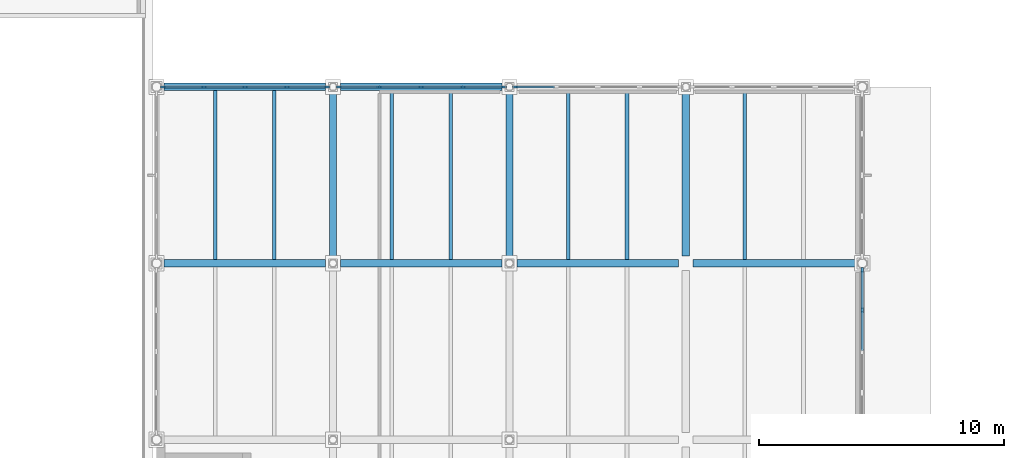
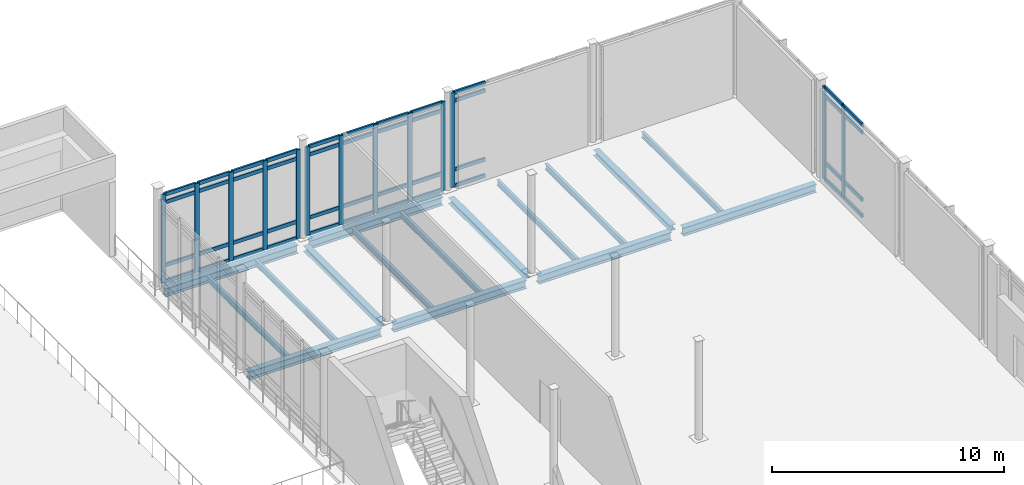
# One storey, part 36 of 89: 57 members, 16 beams, 4 elements without a shape of their own.
"""IFC4 building model written with IfcOpenShell, lengths in metres."""

from ifc_helpers import new_model, si_unit, direction, frame, origin, origin_2d, place, context, subcontext, project, spatial, rectangle, i_section, extrude, material, layer, layer_set, material_profile, profile_set, type_object, element, aggregate, save


model = new_model("IFC4")

# Units and contexts
model_context = context("Model", 3, precision=1e-05, world=origin(), true_north=direction((0.0, 1.0)))
body_context = subcontext(model_context, "Body", "Model", "MODEL_VIEW")
ifc_project = project(units=[si_unit("LENGTHUNIT", "METRE"), si_unit("AREAUNIT", "SQUARE_METRE"), si_unit("VOLUMEUNIT", "CUBIC_METRE"), si_unit("PLANEANGLEUNIT", "RADIAN"), si_unit("MASSUNIT", "GRAM", prefix="KILO")], contexts=[model_context])

# Site, building, storey
site_placement = place(None, origin())
site = spatial("IfcSite", under=ifc_project, at=site_placement, CompositionType="ELEMENT")
building_placement = place(site_placement, origin())
building = spatial("IfcBuilding", under=site, at=building_placement, Name="Zarrinpeak Specialist Clinic", CompositionType="ELEMENT")
storey_placement = place(building_placement, origin())
storey = spatial("IfcBuildingStorey", under=building, at=storey_placement, Name="L00", CompositionType="ELEMENT", Elevation=0.0)

# Beams
ifc_material_1 = material(Name="Steel S355", Category="steel")
ifc_material_profile_1 = material_profile(ifc_material_1, i_section(OverallWidth=0.300048828125, OverallDepth=0.2900390625, WebThickness=0.008544921875, FlangeThickness=0.013916015625, FilletRadius=0.027099609375, at=origin_2d()), Name="HEA 300")
ifc_profile_set_1 = profile_set([ifc_material_profile_1], Name="Steel S355")
beam_type_1 = type_object("IfcBeamType", Name="BM-HEA300", PredefinedType="BEAM", material=ifc_profile_set_1)
for number, where, z_axis, x_axis, name in (
    (1, (100.800048828125, 65.097900390625, -0.39501953125), (0.0, 1.0, 0.0), (-1.0, 0.0, 0.0), "L00 Primary Beam BM-L00-Y0380"),
    (2, (108.0, 65.097900390625, -0.39501953125), (0.0, 1.0, 0.0), (-1.0, 0.0, 0.0), "L00 Primary Beam BM-L00-Y0386"),
    (3, (115.199951171875, 65.097900390625, -0.39501953125), (0.0, 1.0, 0.0), (-1.0, 0.0, 0.0), "L00 Primary Beam BM-L00-Y0392"),
):
    element("IfcBeam", number, at=place(storey_placement, frame(where, z_axis=z_axis, x_axis=x_axis)), inside=storey, type_object=beam_type_1, Name=name, PredefinedType="BEAM", context=body_context, shape_type="SweptSolid", body=[
        extrude(i_section(OverallWidth=0.300048828125, OverallDepth=0.2900390625, WebThickness=0.008544921875, FlangeThickness=0.013916015625, FilletRadius=0.027099609375, at=origin_2d()), origin(), (0.0, 0.0, 1.0), 6.60400390625),
    ])
ifc_material_profile_2 = material_profile(ifc_material_1, i_section(OverallWidth=0.300048828125, OverallDepth=0.43994140625, WebThickness=0.011474609375, FlangeThickness=0.02099609375, FilletRadius=0.027099609375, at=origin_2d()), Name="HEA 450")
ifc_profile_set_2 = profile_set([ifc_material_profile_2], Name="Steel S355")
beam_type_2 = type_object("IfcBeamType", Name="BM-HEA450", PredefinedType="BEAM", material=ifc_profile_set_2)
for number, where, z_axis, x_axis, name in (
    (4, (93.89794921875, 64.800048828125, -0.469970703125), (1.0, 0.0, 0.0), (0.0, 1.0, 0.0), "L00 Primary Floor Girder BM-L00-X0156"),
    (5, (101.097900390625, 64.800048828125, -0.469970703125), (1.0, 0.0, 0.0), (0.0, 1.0, 0.0), "L00 Primary Floor Girder BM-L00-X0157"),
    (6, (108.298095703125, 64.800048828125, -0.469970703125), (1.0, 0.0, 0.0), (0.0, 1.0, 0.0), "L00 Primary Floor Girder BM-L00-X0158"),
    (7, (115.498046875, 64.800048828125, -0.469970703125), (1.0, 0.0, 0.0), (0.0, 1.0, 0.0), "L00 Primary Floor Girder BM-L00-X0159"),
    (8, (93.89794921875, 72.0, -0.469970703125), (1.0, 0.0, 0.0), (0.0, 1.0, 0.0), "L00 Primary Floor Girder BM-L00-X0172"),
    (9, (101.097900390625, 72.0, -0.469970703125), (1.0, 0.0, 0.0), (0.0, 1.0, 0.0), "L00 Primary Floor Girder BM-L00-X0173"),
):
    element("IfcBeam", number, at=place(storey_placement, frame(where, z_axis=z_axis, x_axis=x_axis)), inside=storey, type_object=beam_type_2, Name=name, PredefinedType="BEAM", context=body_context, shape_type="SweptSolid", body=[
        extrude(i_section(OverallWidth=0.300048828125, OverallDepth=0.43994140625, WebThickness=0.011474609375, FlangeThickness=0.02099609375, FilletRadius=0.027099609375, at=origin_2d()), origin(), (0.0, 0.0, 1.0), 6.60400390625),
    ])
ifc_material_profile_3 = material_profile(ifc_material_1, i_section(OverallWidth=0.14990234375, OverallDepth=0.300048828125, WebThickness=0.007080078125, FlangeThickness=0.0107421875, FilletRadius=0.014892578125, at=origin_2d()), Name="IPE 300")
ifc_profile_set_3 = profile_set([ifc_material_profile_3], Name="Steel S355")
beam_type_3 = type_object("IfcBeamType", Name="BM-JST300", PredefinedType="JOIST", material=ifc_profile_set_3)
for number, where, z_axis, x_axis, name in (
    (10, (96.0, 64.947998046875, -0.39990234375), (0.0, 1.0, 0.0), (-1.0, 0.0, 0.0), "L00 Composite Floor Joist JST-L00-0503"),
    (11, (98.39990234375, 64.947998046875, -0.39990234375), (0.0, 1.0, 0.0), (-1.0, 0.0, 0.0), "L00 Composite Floor Joist JST-L00-0504"),
    (12, (103.199951171875, 64.947998046875, -0.39990234375), (0.0, 1.0, 0.0), (-1.0, 0.0, 0.0), "L00 Composite Floor Joist JST-L00-0515"),
    (13, (105.60009765625, 64.947998046875, -0.39990234375), (0.0, 1.0, 0.0), (-1.0, 0.0, 0.0), "L00 Composite Floor Joist JST-L00-0516"),
    (14, (110.39990234375, 64.947998046875, -0.39990234375), (0.0, 1.0, 0.0), (-1.0, 0.0, 0.0), "L00 Composite Floor Joist JST-L00-0527"),
    (15, (112.800048828125, 64.947998046875, -0.39990234375), (0.0, 1.0, 0.0), (-1.0, 0.0, 0.0), "L00 Composite Floor Joist JST-L00-0528"),
    (16, (117.60009765625, 64.947998046875, -0.39990234375), (0.0, 1.0, 0.0), (-1.0, 0.0, 0.0), "L00 Composite Floor Joist JST-L00-0539"),
):
    element("IfcBeam", number, at=place(storey_placement, frame(where, z_axis=z_axis, x_axis=x_axis)), inside=storey, type_object=beam_type_3, Name=name, PredefinedType="JOIST", context=body_context, shape_type="SweptSolid", body=[
        extrude(i_section(OverallWidth=0.14990234375, OverallDepth=0.300048828125, WebThickness=0.007080078125, FlangeThickness=0.0107421875, FilletRadius=0.014892578125, at=origin_2d()), origin(), (0.0, 0.0, 1.0), 6.904052734375),
    ])

# Curtain wall, members
ifc_material_2 = material(Name="Anodised Aluminium Alloy 6063-T6", Category="aluminium")
ifc_layer = layer(ifc_material_2, 0.199951171875)
ifc_layer_set = layer_set([ifc_layer], Name="Anodised Aluminium Alloy 6063-T6")
curtain_wall_type = type_object("IfcCurtainWallType", Name="CW-HALL", PredefinedType="NOTDEFINED", material=ifc_layer_set)
curtain_wall_1_placement = place(storey_placement, origin())
curtain_wall_1 = element("IfcCurtainWall", 17, at=curtain_wall_1_placement, inside=storey, type_object=curtain_wall_type, Name="L00 V3 Unitised Curtain Wall CW-L00-V3-083", PredefinedType="NOTDEFINED")
ifc_material_profile_4 = material_profile(ifc_material_2, rectangle(XDim=0.090087890625, YDim=0.219970703125, at=origin_2d()), Name="ALU 90x220")
ifc_profile_set_4 = profile_set([ifc_material_profile_4], Name="Anodised Aluminium Alloy 6063-T6")
member_type_1 = type_object("IfcMemberType", Name="CWM-90", PredefinedType="MULLION", material=ifc_profile_set_4)
member_1_placement = place(storey_placement, frame((100.568115234375, 72.0, 0.0), z_axis=(0.0, 0.0, 1.0), x_axis=(0.0, -1.0, 0.0)))
member_1 = element("IfcMember", 18, at=member_1_placement, type_object=member_type_1, Name="CW-02 mullion 1", PredefinedType="MULLION", context=body_context, shape_type="SweptSolid", body=[
    extrude(rectangle(XDim=0.090087890625, YDim=0.219970703125, at=origin_2d()), origin(), (0.0, 0.0, 1.0), 4.6650390625),
])
member_2_placement = place(storey_placement, frame((98.9169921875, 72.0, 0.0), z_axis=(0.0, 0.0, 1.0), x_axis=(0.0, -1.0, 0.0)))
member_2 = element("IfcMember", 19, at=member_2_placement, type_object=member_type_1, Name="CW-02 mullion 2", PredefinedType="MULLION", context=body_context, shape_type="SweptSolid", body=[
    extrude(rectangle(XDim=0.090087890625, YDim=0.219970703125, at=origin_2d()), origin(), (0.0, 0.0, 1.0), 4.6650390625),
])
member_3_placement = place(storey_placement, frame((97.220703125, 72.0, 0.0), z_axis=(0.0, 0.0, 1.0), x_axis=(0.0, -1.0, 0.0)))
member_3 = element("IfcMember", 20, at=member_3_placement, type_object=member_type_1, Name="CW-02 mullion 3", PredefinedType="MULLION", context=body_context, shape_type="SweptSolid", body=[
    extrude(rectangle(XDim=0.090087890625, YDim=0.219970703125, at=origin_2d()), origin(), (0.0, 0.0, 1.0), 4.6650390625),
])
member_4_placement = place(storey_placement, frame((95.5244140625, 72.0, 0.0), z_axis=(0.0, 0.0, 1.0), x_axis=(0.0, -1.0, 0.0)))
member_4 = element("IfcMember", 21, at=member_4_placement, type_object=member_type_1, Name="CW-02 mullion 4", PredefinedType="MULLION", context=body_context, shape_type="SweptSolid", body=[
    extrude(rectangle(XDim=0.090087890625, YDim=0.219970703125, at=origin_2d()), origin(), (0.0, 0.0, 1.0), 4.6650390625),
])
member_5_placement = place(storey_placement, frame((93.873291015625, 72.0, 0.0), z_axis=(0.0, 0.0, 1.0), x_axis=(0.0, -1.0, 0.0)))
member_5 = element("IfcMember", 22, at=member_5_placement, type_object=member_type_1, Name="CW-02 mullion 5", PredefinedType="MULLION", context=body_context, shape_type="SweptSolid", body=[
    extrude(rectangle(XDim=0.090087890625, YDim=0.219970703125, at=origin_2d()), origin(), (0.0, 0.0, 1.0), 4.6650390625),
])

curtain_wall_2_placement = place(storey_placement, origin())
curtain_wall_2 = element("IfcCurtainWall", 23, at=curtain_wall_2_placement, inside=storey, type_object=curtain_wall_type, Name="L00 V3 Unitised Curtain Wall CW-L00-V3-084", PredefinedType="NOTDEFINED")
member_6_placement = place(storey_placement, frame((107.76806640625, 72.0, 0.0), z_axis=(0.0, 0.0, 1.0), x_axis=(0.0, -1.0, 0.0)))
member_6 = element("IfcMember", 24, at=member_6_placement, type_object=member_type_1, Name="CW-02 mullion 1", PredefinedType="MULLION", context=body_context, shape_type="SweptSolid", body=[
    extrude(rectangle(XDim=0.090087890625, YDim=0.219970703125, at=origin_2d()), origin(), (0.0, 0.0, 1.0), 4.6650390625),
])
member_7_placement = place(storey_placement, frame((106.1064453125, 72.0, 0.0), z_axis=(0.0, 0.0, 1.0), x_axis=(0.0, -1.0, 0.0)))
member_7 = element("IfcMember", 25, at=member_7_placement, type_object=member_type_1, Name="CW-02 mullion 2", PredefinedType="MULLION", context=body_context, shape_type="SweptSolid", body=[
    extrude(rectangle(XDim=0.090087890625, YDim=0.219970703125, at=origin_2d()), origin(), (0.0, 0.0, 1.0), 4.6650390625),
])
member_8_placement = place(storey_placement, frame((104.39990234375, 72.0, 0.0), z_axis=(0.0, 0.0, 1.0), x_axis=(0.0, -1.0, 0.0)))
member_8 = element("IfcMember", 26, at=member_8_placement, type_object=member_type_1, Name="CW-02 mullion 3", PredefinedType="MULLION", context=body_context, shape_type="SweptSolid", body=[
    extrude(rectangle(XDim=0.090087890625, YDim=0.219970703125, at=origin_2d()), origin(), (0.0, 0.0, 1.0), 4.6650390625),
])
member_9_placement = place(storey_placement, frame((102.693359375, 72.0, 0.0), z_axis=(0.0, 0.0, 1.0), x_axis=(0.0, -1.0, 0.0)))
member_9 = element("IfcMember", 27, at=member_9_placement, type_object=member_type_1, Name="CW-02 mullion 4", PredefinedType="MULLION", context=body_context, shape_type="SweptSolid", body=[
    extrude(rectangle(XDim=0.090087890625, YDim=0.219970703125, at=origin_2d()), origin(), (0.0, 0.0, 1.0), 4.6650390625),
])
member_10_placement = place(storey_placement, frame((101.031982421875, 72.0, 0.0), z_axis=(0.0, 0.0, 1.0), x_axis=(0.0, -1.0, 0.0)))
member_10 = element("IfcMember", 28, at=member_10_placement, type_object=member_type_1, Name="CW-02 mullion 5", PredefinedType="MULLION", context=body_context, shape_type="SweptSolid", body=[
    extrude(rectangle(XDim=0.090087890625, YDim=0.219970703125, at=origin_2d()), origin(), (0.0, 0.0, 1.0), 4.6650390625),
])

# Curtain wall, member
curtain_wall_3_placement = place(storey_placement, origin())
curtain_wall_3 = element("IfcCurtainWall", 29, at=curtain_wall_3_placement, inside=storey, type_object=curtain_wall_type, Name="L00 V3 Unitised Curtain Wall CW-L00-V3-085", PredefinedType="NOTDEFINED")
member_11_placement = place(storey_placement, frame((108.23193359375, 72.0, 0.0), z_axis=(0.0, 0.0, 1.0), x_axis=(0.0, -1.0, 0.0)))
member_11 = element("IfcMember", 30, at=member_11_placement, type_object=member_type_1, Name="CW-02 mullion 5", PredefinedType="MULLION", context=body_context, shape_type="SweptSolid", body=[
    extrude(rectangle(XDim=0.090087890625, YDim=0.219970703125, at=origin_2d()), origin(), (0.0, 0.0, 1.0), 4.969970703125),
])

# Curtain wall, members
curtain_wall_4_placement = place(storey_placement, origin())
curtain_wall_4 = element("IfcCurtainWall", 31, at=curtain_wall_4_placement, inside=storey, type_object=curtain_wall_type, Name="L00 V3 Unitised Curtain Wall CW-L00-V3-095", PredefinedType="NOTDEFINED")
member_12_placement = place(storey_placement, frame((122.39990234375, 62.885986328125, 0.0), z_axis=(0.0, 0.0, 1.0), x_axis=(-1.0, 0.0, 0.0)))
member_12 = element("IfcMember", 32, at=member_12_placement, type_object=member_type_1, Name="CW-02 mullion 4", PredefinedType="MULLION", context=body_context, shape_type="SweptSolid", body=[
    extrude(rectangle(XDim=0.090087890625, YDim=0.219970703125, at=origin_2d()), origin(), (0.0, 0.0, 1.0), 4.875),
])
member_13_placement = place(storey_placement, frame((122.39990234375, 64.52685546875, 0.0), z_axis=(0.0, 0.0, 1.0), x_axis=(-1.0, 0.0, 0.0)))
member_13 = element("IfcMember", 33, at=member_13_placement, type_object=member_type_1, Name="CW-02 mullion 5", PredefinedType="MULLION", context=body_context, shape_type="SweptSolid", body=[
    extrude(rectangle(XDim=0.090087890625, YDim=0.219970703125, at=origin_2d()), origin(), (0.0, 0.0, 1.0), 4.875),
])

# Member
ifc_material_profile_5 = material_profile(ifc_material_2, rectangle(XDim=0.090087890625, YDim=0.18994140625, at=origin_2d()), Name="ALU 90x190")
ifc_profile_set_5 = profile_set([ifc_material_profile_5], Name="Anodised Aluminium Alloy 6063-T6")
member_type_2 = type_object("IfcMemberType", Name="CWT-90", PredefinedType="USERDEFINED", material=ifc_profile_set_5)
member_14_placement = place(storey_placement, frame((100.523193359375, 72.0, 0.044921875), z_axis=(-1.0, 0.0, 0.0), x_axis=(0.0, -1.0, 0.0)))
member_14 = element("IfcMember", 34, at=member_14_placement, type_object=member_type_2, Name="CW-02 transom 1.1", ObjectType="TRANSOM", PredefinedType="USERDEFINED", context=body_context, shape_type="SweptSolid", body=[
    extrude(rectangle(XDim=0.090087890625, YDim=0.18994140625, at=origin_2d()), origin(), (0.0, 0.0, 1.0), 1.561279296875),
])

member_15_placement = place(storey_placement, frame((100.523193359375, 72.0, 0.89990234375), z_axis=(-1.0, 0.0, 0.0), x_axis=(0.0, -1.0, 0.0)))
member_15 = element("IfcMember", 35, at=member_15_placement, type_object=member_type_2, Name="CW-02 transom 1.2", ObjectType="TRANSOM", PredefinedType="USERDEFINED", context=body_context, shape_type="SweptSolid", body=[
    extrude(rectangle(XDim=0.090087890625, YDim=0.18994140625, at=origin_2d()), origin(), (0.0, 0.0, 1.0), 1.561279296875),
])

member_16_placement = place(storey_placement, frame((100.523193359375, 72.0, 4.215087890625), z_axis=(-1.0, 0.0, 0.0), x_axis=(0.0, -1.0, 0.0)))
member_16 = element("IfcMember", 36, at=member_16_placement, type_object=member_type_2, Name="CW-02 transom 1.3", ObjectType="TRANSOM", PredefinedType="USERDEFINED", context=body_context, shape_type="SweptSolid", body=[
    extrude(rectangle(XDim=0.090087890625, YDim=0.18994140625, at=origin_2d()), origin(), (0.0, 0.0, 1.0), 1.561279296875),
])

member_17_placement = place(storey_placement, frame((100.523193359375, 72.0, 4.6201171875), z_axis=(-1.0, 0.0, 0.0), x_axis=(0.0, -1.0, 0.0)))
member_17 = element("IfcMember", 37, at=member_17_placement, type_object=member_type_2, Name="CW-02 transom 1.4", ObjectType="TRANSOM", PredefinedType="USERDEFINED", context=body_context, shape_type="SweptSolid", body=[
    extrude(rectangle(XDim=0.090087890625, YDim=0.18994140625, at=origin_2d()), origin(), (0.0, 0.0, 1.0), 1.561279296875),
])

member_18_placement = place(storey_placement, frame((98.871826171875, 72.0, 0.044921875), z_axis=(-1.0, 0.0, 0.0), x_axis=(0.0, -1.0, 0.0)))
member_18 = element("IfcMember", 38, at=member_18_placement, type_object=member_type_2, Name="CW-02 transom 2.1", ObjectType="TRANSOM", PredefinedType="USERDEFINED", context=body_context, shape_type="SweptSolid", body=[
    extrude(rectangle(XDim=0.090087890625, YDim=0.18994140625, at=origin_2d()), origin(), (0.0, 0.0, 1.0), 1.606201171875),
])

member_19_placement = place(storey_placement, frame((98.871826171875, 72.0, 0.89990234375), z_axis=(-1.0, 0.0, 0.0), x_axis=(0.0, -1.0, 0.0)))
member_19 = element("IfcMember", 39, at=member_19_placement, type_object=member_type_2, Name="CW-02 transom 2.2", ObjectType="TRANSOM", PredefinedType="USERDEFINED", context=body_context, shape_type="SweptSolid", body=[
    extrude(rectangle(XDim=0.090087890625, YDim=0.18994140625, at=origin_2d()), origin(), (0.0, 0.0, 1.0), 1.606201171875),
])

member_20_placement = place(storey_placement, frame((98.871826171875, 72.0, 4.215087890625), z_axis=(-1.0, 0.0, 0.0), x_axis=(0.0, -1.0, 0.0)))
member_20 = element("IfcMember", 40, at=member_20_placement, type_object=member_type_2, Name="CW-02 transom 2.3", ObjectType="TRANSOM", PredefinedType="USERDEFINED", context=body_context, shape_type="SweptSolid", body=[
    extrude(rectangle(XDim=0.090087890625, YDim=0.18994140625, at=origin_2d()), origin(), (0.0, 0.0, 1.0), 1.606201171875),
])

member_21_placement = place(storey_placement, frame((98.871826171875, 72.0, 4.6201171875), z_axis=(-1.0, 0.0, 0.0), x_axis=(0.0, -1.0, 0.0)))
member_21 = element("IfcMember", 41, at=member_21_placement, type_object=member_type_2, Name="CW-02 transom 2.4", ObjectType="TRANSOM", PredefinedType="USERDEFINED", context=body_context, shape_type="SweptSolid", body=[
    extrude(rectangle(XDim=0.090087890625, YDim=0.18994140625, at=origin_2d()), origin(), (0.0, 0.0, 1.0), 1.606201171875),
])

member_22_placement = place(storey_placement, frame((97.175537109375, 72.0, 0.044921875), z_axis=(-1.0, 0.0, 0.0), x_axis=(0.0, -1.0, 0.0)))
member_22 = element("IfcMember", 42, at=member_22_placement, type_object=member_type_2, Name="CW-02 transom 3.1", ObjectType="TRANSOM", PredefinedType="USERDEFINED", context=body_context, shape_type="SweptSolid", body=[
    extrude(rectangle(XDim=0.090087890625, YDim=0.18994140625, at=origin_2d()), origin(), (0.0, 0.0, 1.0), 1.606201171875),
])

member_23_placement = place(storey_placement, frame((97.175537109375, 72.0, 0.89990234375), z_axis=(-1.0, 0.0, 0.0), x_axis=(0.0, -1.0, 0.0)))
member_23 = element("IfcMember", 43, at=member_23_placement, type_object=member_type_2, Name="CW-02 transom 3.2", ObjectType="TRANSOM", PredefinedType="USERDEFINED", context=body_context, shape_type="SweptSolid", body=[
    extrude(rectangle(XDim=0.090087890625, YDim=0.18994140625, at=origin_2d()), origin(), (0.0, 0.0, 1.0), 1.606201171875),
])

member_24_placement = place(storey_placement, frame((97.175537109375, 72.0, 4.215087890625), z_axis=(-1.0, 0.0, 0.0), x_axis=(0.0, -1.0, 0.0)))
member_24 = element("IfcMember", 44, at=member_24_placement, type_object=member_type_2, Name="CW-02 transom 3.3", ObjectType="TRANSOM", PredefinedType="USERDEFINED", context=body_context, shape_type="SweptSolid", body=[
    extrude(rectangle(XDim=0.090087890625, YDim=0.18994140625, at=origin_2d()), origin(), (0.0, 0.0, 1.0), 1.606201171875),
])

member_25_placement = place(storey_placement, frame((97.175537109375, 72.0, 4.6201171875), z_axis=(-1.0, 0.0, 0.0), x_axis=(0.0, -1.0, 0.0)))
member_25 = element("IfcMember", 45, at=member_25_placement, type_object=member_type_2, Name="CW-02 transom 3.4", ObjectType="TRANSOM", PredefinedType="USERDEFINED", context=body_context, shape_type="SweptSolid", body=[
    extrude(rectangle(XDim=0.090087890625, YDim=0.18994140625, at=origin_2d()), origin(), (0.0, 0.0, 1.0), 1.606201171875),
])

member_26_placement = place(storey_placement, frame((95.4794921875, 72.0, 0.044921875), z_axis=(-1.0, 0.0, 0.0), x_axis=(0.0, -1.0, 0.0)))
member_26 = element("IfcMember", 46, at=member_26_placement, type_object=member_type_2, Name="CW-02 transom 4.1", ObjectType="TRANSOM", PredefinedType="USERDEFINED", context=body_context, shape_type="SweptSolid", body=[
    extrude(rectangle(XDim=0.090087890625, YDim=0.18994140625, at=origin_2d()), origin(), (0.0, 0.0, 1.0), 1.561279296875),
])

member_27_placement = place(storey_placement, frame((95.4794921875, 72.0, 0.89990234375), z_axis=(-1.0, 0.0, 0.0), x_axis=(0.0, -1.0, 0.0)))
member_27 = element("IfcMember", 47, at=member_27_placement, type_object=member_type_2, Name="CW-02 transom 4.2", ObjectType="TRANSOM", PredefinedType="USERDEFINED", context=body_context, shape_type="SweptSolid", body=[
    extrude(rectangle(XDim=0.090087890625, YDim=0.18994140625, at=origin_2d()), origin(), (0.0, 0.0, 1.0), 1.561279296875),
])

member_28_placement = place(storey_placement, frame((95.4794921875, 72.0, 4.215087890625), z_axis=(-1.0, 0.0, 0.0), x_axis=(0.0, -1.0, 0.0)))
member_28 = element("IfcMember", 48, at=member_28_placement, type_object=member_type_2, Name="CW-02 transom 4.3", ObjectType="TRANSOM", PredefinedType="USERDEFINED", context=body_context, shape_type="SweptSolid", body=[
    extrude(rectangle(XDim=0.090087890625, YDim=0.18994140625, at=origin_2d()), origin(), (0.0, 0.0, 1.0), 1.561279296875),
])

member_29_placement = place(storey_placement, frame((95.4794921875, 72.0, 4.6201171875), z_axis=(-1.0, 0.0, 0.0), x_axis=(0.0, -1.0, 0.0)))
member_29 = element("IfcMember", 49, at=member_29_placement, type_object=member_type_2, Name="CW-02 transom 4.4", ObjectType="TRANSOM", PredefinedType="USERDEFINED", context=body_context, shape_type="SweptSolid", body=[
    extrude(rectangle(XDim=0.090087890625, YDim=0.18994140625, at=origin_2d()), origin(), (0.0, 0.0, 1.0), 1.561279296875),
])

aggregate(curtain_wall_1, [member_1, member_2, member_3, member_4, member_5, member_14, member_15, member_16, member_17, member_18, member_19, member_20, member_21, member_22, member_23, member_24, member_25, member_26, member_27, member_28, member_29])

member_30_placement = place(storey_placement, frame((107.72314453125, 72.0, 0.044921875), z_axis=(-1.0, 0.0, 0.0), x_axis=(0.0, -1.0, 0.0)))
member_30 = element("IfcMember", 50, at=member_30_placement, type_object=member_type_2, Name="CW-02 transom 1.1", ObjectType="TRANSOM", PredefinedType="USERDEFINED", context=body_context, shape_type="SweptSolid", body=[
    extrude(rectangle(XDim=0.090087890625, YDim=0.18994140625, at=origin_2d()), origin(), (0.0, 0.0, 1.0), 1.571533203125),
])

member_31_placement = place(storey_placement, frame((107.72314453125, 72.0, 0.89990234375), z_axis=(-1.0, 0.0, 0.0), x_axis=(0.0, -1.0, 0.0)))
member_31 = element("IfcMember", 51, at=member_31_placement, type_object=member_type_2, Name="CW-02 transom 1.2", ObjectType="TRANSOM", PredefinedType="USERDEFINED", context=body_context, shape_type="SweptSolid", body=[
    extrude(rectangle(XDim=0.090087890625, YDim=0.18994140625, at=origin_2d()), origin(), (0.0, 0.0, 1.0), 1.571533203125),
])

member_32_placement = place(storey_placement, frame((107.72314453125, 72.0, 4.215087890625), z_axis=(-1.0, 0.0, 0.0), x_axis=(0.0, -1.0, 0.0)))
member_32 = element("IfcMember", 52, at=member_32_placement, type_object=member_type_2, Name="CW-02 transom 1.3", ObjectType="TRANSOM", PredefinedType="USERDEFINED", context=body_context, shape_type="SweptSolid", body=[
    extrude(rectangle(XDim=0.090087890625, YDim=0.18994140625, at=origin_2d()), origin(), (0.0, 0.0, 1.0), 1.571533203125),
])

member_33_placement = place(storey_placement, frame((107.72314453125, 72.0, 4.6201171875), z_axis=(-1.0, 0.0, 0.0), x_axis=(0.0, -1.0, 0.0)))
member_33 = element("IfcMember", 53, at=member_33_placement, type_object=member_type_2, Name="CW-02 transom 1.4", ObjectType="TRANSOM", PredefinedType="USERDEFINED", context=body_context, shape_type="SweptSolid", body=[
    extrude(rectangle(XDim=0.090087890625, YDim=0.18994140625, at=origin_2d()), origin(), (0.0, 0.0, 1.0), 1.571533203125),
])

member_34_placement = place(storey_placement, frame((106.0615234375, 72.0, 0.044921875), z_axis=(-1.0, 0.0, 0.0), x_axis=(0.0, -1.0, 0.0)))
member_34 = element("IfcMember", 54, at=member_34_placement, type_object=member_type_2, Name="CW-02 transom 2.1", ObjectType="TRANSOM", PredefinedType="USERDEFINED", context=body_context, shape_type="SweptSolid", body=[
    extrude(rectangle(XDim=0.090087890625, YDim=0.18994140625, at=origin_2d()), origin(), (0.0, 0.0, 1.0), 1.616455078125),
])

member_35_placement = place(storey_placement, frame((106.0615234375, 72.0, 0.89990234375), z_axis=(-1.0, 0.0, 0.0), x_axis=(0.0, -1.0, 0.0)))
member_35 = element("IfcMember", 55, at=member_35_placement, type_object=member_type_2, Name="CW-02 transom 2.2", ObjectType="TRANSOM", PredefinedType="USERDEFINED", context=body_context, shape_type="SweptSolid", body=[
    extrude(rectangle(XDim=0.090087890625, YDim=0.18994140625, at=origin_2d()), origin(), (0.0, 0.0, 1.0), 1.616455078125),
])

member_36_placement = place(storey_placement, frame((106.0615234375, 72.0, 4.215087890625), z_axis=(-1.0, 0.0, 0.0), x_axis=(0.0, -1.0, 0.0)))
member_36 = element("IfcMember", 56, at=member_36_placement, type_object=member_type_2, Name="CW-02 transom 2.3", ObjectType="TRANSOM", PredefinedType="USERDEFINED", context=body_context, shape_type="SweptSolid", body=[
    extrude(rectangle(XDim=0.090087890625, YDim=0.18994140625, at=origin_2d()), origin(), (0.0, 0.0, 1.0), 1.616455078125),
])

member_37_placement = place(storey_placement, frame((106.0615234375, 72.0, 4.6201171875), z_axis=(-1.0, 0.0, 0.0), x_axis=(0.0, -1.0, 0.0)))
member_37 = element("IfcMember", 57, at=member_37_placement, type_object=member_type_2, Name="CW-02 transom 2.4", ObjectType="TRANSOM", PredefinedType="USERDEFINED", context=body_context, shape_type="SweptSolid", body=[
    extrude(rectangle(XDim=0.090087890625, YDim=0.18994140625, at=origin_2d()), origin(), (0.0, 0.0, 1.0), 1.616455078125),
])

member_38_placement = place(storey_placement, frame((104.35498046875, 72.0, 0.044921875), z_axis=(-1.0, 0.0, 0.0), x_axis=(0.0, -1.0, 0.0)))
member_38 = element("IfcMember", 58, at=member_38_placement, type_object=member_type_2, Name="CW-02 transom 3.1", ObjectType="TRANSOM", PredefinedType="USERDEFINED", context=body_context, shape_type="SweptSolid", body=[
    extrude(rectangle(XDim=0.090087890625, YDim=0.18994140625, at=origin_2d()), origin(), (0.0, 0.0, 1.0), 1.616455078125),
])

member_39_placement = place(storey_placement, frame((104.35498046875, 72.0, 0.89990234375), z_axis=(-1.0, 0.0, 0.0), x_axis=(0.0, -1.0, 0.0)))
member_39 = element("IfcMember", 59, at=member_39_placement, type_object=member_type_2, Name="CW-02 transom 3.2", ObjectType="TRANSOM", PredefinedType="USERDEFINED", context=body_context, shape_type="SweptSolid", body=[
    extrude(rectangle(XDim=0.090087890625, YDim=0.18994140625, at=origin_2d()), origin(), (0.0, 0.0, 1.0), 1.616455078125),
])

member_40_placement = place(storey_placement, frame((104.35498046875, 72.0, 4.215087890625), z_axis=(-1.0, 0.0, 0.0), x_axis=(0.0, -1.0, 0.0)))
member_40 = element("IfcMember", 60, at=member_40_placement, type_object=member_type_2, Name="CW-02 transom 3.3", ObjectType="TRANSOM", PredefinedType="USERDEFINED", context=body_context, shape_type="SweptSolid", body=[
    extrude(rectangle(XDim=0.090087890625, YDim=0.18994140625, at=origin_2d()), origin(), (0.0, 0.0, 1.0), 1.616455078125),
])

member_41_placement = place(storey_placement, frame((104.35498046875, 72.0, 4.6201171875), z_axis=(-1.0, 0.0, 0.0), x_axis=(0.0, -1.0, 0.0)))
member_41 = element("IfcMember", 61, at=member_41_placement, type_object=member_type_2, Name="CW-02 transom 3.4", ObjectType="TRANSOM", PredefinedType="USERDEFINED", context=body_context, shape_type="SweptSolid", body=[
    extrude(rectangle(XDim=0.090087890625, YDim=0.18994140625, at=origin_2d()), origin(), (0.0, 0.0, 1.0), 1.616455078125),
])

member_42_placement = place(storey_placement, frame((102.6484375, 72.0, 0.044921875), z_axis=(-1.0, 0.0, 0.0), x_axis=(0.0, -1.0, 0.0)))
member_42 = element("IfcMember", 62, at=member_42_placement, type_object=member_type_2, Name="CW-02 transom 4.1", ObjectType="TRANSOM", PredefinedType="USERDEFINED", context=body_context, shape_type="SweptSolid", body=[
    extrude(rectangle(XDim=0.090087890625, YDim=0.18994140625, at=origin_2d()), origin(), (0.0, 0.0, 1.0), 1.571533203125),
])

member_43_placement = place(storey_placement, frame((102.6484375, 72.0, 0.89990234375), z_axis=(-1.0, 0.0, 0.0), x_axis=(0.0, -1.0, 0.0)))
member_43 = element("IfcMember", 63, at=member_43_placement, type_object=member_type_2, Name="CW-02 transom 4.2", ObjectType="TRANSOM", PredefinedType="USERDEFINED", context=body_context, shape_type="SweptSolid", body=[
    extrude(rectangle(XDim=0.090087890625, YDim=0.18994140625, at=origin_2d()), origin(), (0.0, 0.0, 1.0), 1.571533203125),
])

member_44_placement = place(storey_placement, frame((102.6484375, 72.0, 4.215087890625), z_axis=(-1.0, 0.0, 0.0), x_axis=(0.0, -1.0, 0.0)))
member_44 = element("IfcMember", 64, at=member_44_placement, type_object=member_type_2, Name="CW-02 transom 4.3", ObjectType="TRANSOM", PredefinedType="USERDEFINED", context=body_context, shape_type="SweptSolid", body=[
    extrude(rectangle(XDim=0.090087890625, YDim=0.18994140625, at=origin_2d()), origin(), (0.0, 0.0, 1.0), 1.571533203125),
])

member_45_placement = place(storey_placement, frame((102.6484375, 72.0, 4.6201171875), z_axis=(-1.0, 0.0, 0.0), x_axis=(0.0, -1.0, 0.0)))
member_45 = element("IfcMember", 65, at=member_45_placement, type_object=member_type_2, Name="CW-02 transom 4.4", ObjectType="TRANSOM", PredefinedType="USERDEFINED", context=body_context, shape_type="SweptSolid", body=[
    extrude(rectangle(XDim=0.090087890625, YDim=0.18994140625, at=origin_2d()), origin(), (0.0, 0.0, 1.0), 1.571533203125),
])

aggregate(curtain_wall_2, [member_6, member_7, member_8, member_9, member_10, member_30, member_31, member_32, member_33, member_34, member_35, member_36, member_37, member_38, member_39, member_40, member_41, member_42, member_43, member_44, member_45])

member_46_placement = place(storey_placement, frame((109.848388671875, 72.0, 0.044921875), z_axis=(-1.0, 0.0, 0.0), x_axis=(0.0, -1.0, 0.0)))
member_46 = element("IfcMember", 66, at=member_46_placement, type_object=member_type_2, Name="CW-02 transom 4.1", ObjectType="TRANSOM", PredefinedType="USERDEFINED", context=body_context, shape_type="SweptSolid", body=[
    extrude(rectangle(XDim=0.090087890625, YDim=0.18994140625, at=origin_2d()), origin(), (0.0, 0.0, 1.0), 1.571533203125),
])

member_47_placement = place(storey_placement, frame((109.848388671875, 72.0, 0.89990234375), z_axis=(-1.0, 0.0, 0.0), x_axis=(0.0, -1.0, 0.0)))
member_47 = element("IfcMember", 67, at=member_47_placement, type_object=member_type_2, Name="CW-02 transom 4.2", ObjectType="TRANSOM", PredefinedType="USERDEFINED", context=body_context, shape_type="SweptSolid", body=[
    extrude(rectangle(XDim=0.090087890625, YDim=0.18994140625, at=origin_2d()), origin(), (0.0, 0.0, 1.0), 1.571533203125),
])

member_48_placement = place(storey_placement, frame((109.848388671875, 72.0, 4.52001953125), z_axis=(-1.0, 0.0, 0.0), x_axis=(0.0, -1.0, 0.0)))
member_48 = element("IfcMember", 68, at=member_48_placement, type_object=member_type_2, Name="CW-02 transom 4.3", ObjectType="TRANSOM", PredefinedType="USERDEFINED", context=body_context, shape_type="SweptSolid", body=[
    extrude(rectangle(XDim=0.090087890625, YDim=0.18994140625, at=origin_2d()), origin(), (0.0, 0.0, 1.0), 1.571533203125),
])

member_49_placement = place(storey_placement, frame((109.848388671875, 72.0, 4.925048828125), z_axis=(-1.0, 0.0, 0.0), x_axis=(0.0, -1.0, 0.0)))
member_49 = element("IfcMember", 69, at=member_49_placement, type_object=member_type_2, Name="CW-02 transom 4.4", ObjectType="TRANSOM", PredefinedType="USERDEFINED", context=body_context, shape_type="SweptSolid", body=[
    extrude(rectangle(XDim=0.090087890625, YDim=0.18994140625, at=origin_2d()), origin(), (0.0, 0.0, 1.0), 1.571533203125),
])

aggregate(curtain_wall_3, [member_11, member_46, member_47, member_48, member_49])

member_50_placement = place(storey_placement, frame((122.39990234375, 61.2451171875, 0.044921875), z_axis=(0.0, 1.0, 0.0), x_axis=(-1.0, 0.0, 0.0)))
member_50 = element("IfcMember", 70, at=member_50_placement, type_object=member_type_2, Name="CW-02 transom 3.1", ObjectType="TRANSOM", PredefinedType="USERDEFINED", context=body_context, shape_type="SweptSolid", body=[
    extrude(rectangle(XDim=0.090087890625, YDim=0.18994140625, at=origin_2d()), origin(), (0.0, 0.0, 1.0), 1.595703125),
])

member_51_placement = place(storey_placement, frame((122.39990234375, 61.2451171875, 0.89990234375), z_axis=(0.0, 1.0, 0.0), x_axis=(-1.0, 0.0, 0.0)))
member_51 = element("IfcMember", 71, at=member_51_placement, type_object=member_type_2, Name="CW-02 transom 3.2", ObjectType="TRANSOM", PredefinedType="USERDEFINED", context=body_context, shape_type="SweptSolid", body=[
    extrude(rectangle(XDim=0.090087890625, YDim=0.18994140625, at=origin_2d()), origin(), (0.0, 0.0, 1.0), 1.595703125),
])

member_52_placement = place(storey_placement, frame((122.39990234375, 61.2451171875, 4.425048828125), z_axis=(0.0, 1.0, 0.0), x_axis=(-1.0, 0.0, 0.0)))
member_52 = element("IfcMember", 72, at=member_52_placement, type_object=member_type_2, Name="CW-02 transom 3.3", ObjectType="TRANSOM", PredefinedType="USERDEFINED", context=body_context, shape_type="SweptSolid", body=[
    extrude(rectangle(XDim=0.090087890625, YDim=0.18994140625, at=origin_2d()), origin(), (0.0, 0.0, 1.0), 1.595703125),
])

member_53_placement = place(storey_placement, frame((122.39990234375, 61.2451171875, 4.830078125), z_axis=(0.0, 1.0, 0.0), x_axis=(-1.0, 0.0, 0.0)))
member_53 = element("IfcMember", 73, at=member_53_placement, type_object=member_type_2, Name="CW-02 transom 3.4", ObjectType="TRANSOM", PredefinedType="USERDEFINED", context=body_context, shape_type="SweptSolid", body=[
    extrude(rectangle(XDim=0.090087890625, YDim=0.18994140625, at=origin_2d()), origin(), (0.0, 0.0, 1.0), 1.595703125),
])

member_54_placement = place(storey_placement, frame((122.39990234375, 62.930908203125, 0.044921875), z_axis=(0.0, 1.0, 0.0), x_axis=(-1.0, 0.0, 0.0)))
member_54 = element("IfcMember", 74, at=member_54_placement, type_object=member_type_2, Name="CW-02 transom 4.1", ObjectType="TRANSOM", PredefinedType="USERDEFINED", context=body_context, shape_type="SweptSolid", body=[
    extrude(rectangle(XDim=0.090087890625, YDim=0.18994140625, at=origin_2d()), origin(), (0.0, 0.0, 1.0), 1.55078125),
])

member_55_placement = place(storey_placement, frame((122.39990234375, 62.930908203125, 0.89990234375), z_axis=(0.0, 1.0, 0.0), x_axis=(-1.0, 0.0, 0.0)))
member_55 = element("IfcMember", 75, at=member_55_placement, type_object=member_type_2, Name="CW-02 transom 4.2", ObjectType="TRANSOM", PredefinedType="USERDEFINED", context=body_context, shape_type="SweptSolid", body=[
    extrude(rectangle(XDim=0.090087890625, YDim=0.18994140625, at=origin_2d()), origin(), (0.0, 0.0, 1.0), 1.55078125),
])

member_56_placement = place(storey_placement, frame((122.39990234375, 62.930908203125, 4.425048828125), z_axis=(0.0, 1.0, 0.0), x_axis=(-1.0, 0.0, 0.0)))
member_56 = element("IfcMember", 76, at=member_56_placement, type_object=member_type_2, Name="CW-02 transom 4.3", ObjectType="TRANSOM", PredefinedType="USERDEFINED", context=body_context, shape_type="SweptSolid", body=[
    extrude(rectangle(XDim=0.090087890625, YDim=0.18994140625, at=origin_2d()), origin(), (0.0, 0.0, 1.0), 1.55078125),
])

member_57_placement = place(storey_placement, frame((122.39990234375, 62.930908203125, 4.830078125), z_axis=(0.0, 1.0, 0.0), x_axis=(-1.0, 0.0, 0.0)))
member_57 = element("IfcMember", 77, at=member_57_placement, type_object=member_type_2, Name="CW-02 transom 4.4", ObjectType="TRANSOM", PredefinedType="USERDEFINED", context=body_context, shape_type="SweptSolid", body=[
    extrude(rectangle(XDim=0.090087890625, YDim=0.18994140625, at=origin_2d()), origin(), (0.0, 0.0, 1.0), 1.55078125),
])

aggregate(curtain_wall_4, [member_12, member_13, member_50, member_51, member_52, member_53, member_54, member_55, member_56, member_57])

save(model, "model.ifc")
